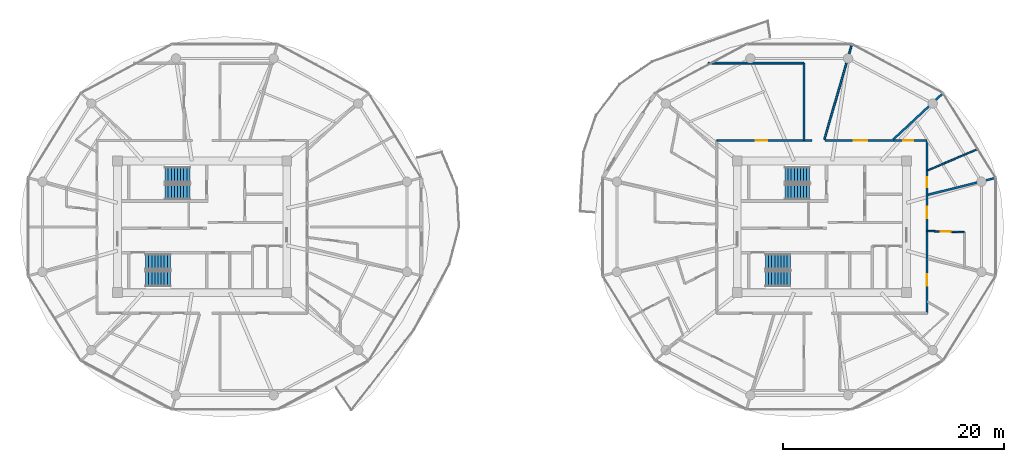
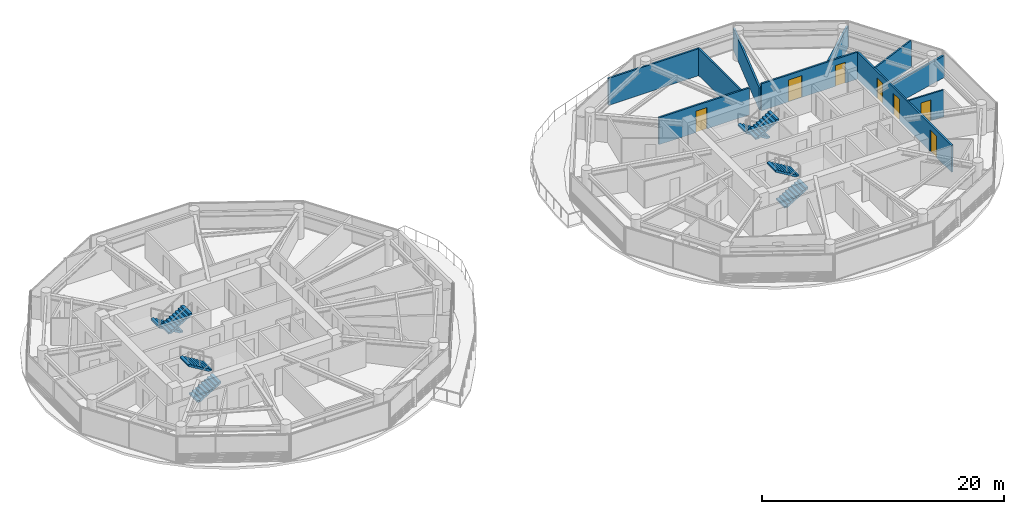
# One storey, part 18 of 22: 10 walls, 8 stair flights, 7 doors, 7 openings, 4 elements without a shape of their own.
"""IFC4 building model written with IfcOpenShell, lengths in metres."""

import ifcopenshell
import ifcopenshell.guid

model = None  # the IFC model being written
_history = None  # IfcOwnerHistory: only IFC2X3 demands one
_inside = {}  # id of a spatial element -> (the spatial element, [elements in it])
_under = {}  # id of a project, library or spatial element -> (it, [spatial elements below it])
_declared = {}  # id of a project -> (the project, [libraries it declares])
_typed = {}  # id of a type object -> (the type object, [elements of that type])
_made_of = {}  # id of a material, layer set ... -> (it, [elements and type objects made of it])


def new_model(schema):
    """Start an empty IFC model of exactly this schema.

    Asked for "IFC4X3", IfcOpenShell would pick the latest addendum, in which some entities
    have other attributes; the version numbers below select the first issue.
    IFC2X3 requires an IfcOwnerHistory on every rooted entity: one is made here for all.
    """
    global model, _history
    if schema == "IFC4X3":
        model = ifcopenshell.file(schema_version=(4, 3, 0, 0))
    else:
        model = ifcopenshell.file(schema=schema)
    _inside.clear()
    _under.clear()
    _declared.clear()
    _typed.clear()
    _made_of.clear()
    _history = None
    if model.schema == "IFC2X3":
        org = make("IfcOrganization", Name="unknown")
        user = make(
            "IfcPersonAndOrganization",
            ThePerson=make("IfcPerson", FamilyName="unknown"),
            TheOrganization=org,
        )
        app = make(
            "IfcApplication",
            ApplicationDeveloper=org,
            Version="unknown",
            ApplicationFullName="unknown",
            ApplicationIdentifier="unknown",
        )
        _history = make(
            "IfcOwnerHistory",
            OwningUser=user,
            OwningApplication=app,
            ChangeAction="ADDED",
            CreationDate=0,
        )
    return model


def make(cls, **values):
    """One entity of the class cls with the attributes given. An attribute that is None is left unset."""
    return model.create_entity(
        cls, **{name: value for name, value in values.items() if value is not None}
    )


def rooted(cls, **values):
    """An entity with a GlobalId (a new one), such as an element, a storey or a relation."""
    return make(cls, GlobalId=ifcopenshell.guid.new(), OwnerHistory=_history, **values)


def si_unit(unit_type, name, prefix=None):
    """IfcSIUnit, for example si_unit("LENGTHUNIT", "METRE", prefix="MILLI")."""
    return make("IfcSIUnit", UnitType=unit_type, Prefix=prefix, Name=name)


def assignment(units):
    """IfcUnitAssignment: the units of a project."""
    return None if units is None else make("IfcUnitAssignment", Units=units)


def point(xyz):
    """IfcCartesianPoint."""
    return None if xyz is None else make("IfcCartesianPoint", Coordinates=xyz)


def direction(xyz):
    """IfcDirection."""
    return None if xyz is None else make("IfcDirection", DirectionRatios=xyz)


def frame(location, z_axis=None, x_axis=None):
    """IfcAxis2Placement3D, a coordinate frame: its origin and axes. An axis left out is left unset."""
    return make(
        "IfcAxis2Placement3D",
        Location=point(location),
        Axis=direction(z_axis),
        RefDirection=direction(x_axis),
    )


def frame_2d(location, x_axis=None):
    """IfcAxis2Placement2D, a coordinate frame in the plane: its origin and x axis."""
    return make(
        "IfcAxis2Placement2D", Location=point(location), RefDirection=direction(x_axis)
    )


def origin():
    """The frame at (0, 0, 0) with its axes left unset."""
    return frame((0.0, 0.0, 0.0))


def place(relative_to, where):
    """IfcLocalPlacement: puts the frame where relative to a parent placement (None: the world)."""
    return make(
        "IfcLocalPlacement", PlacementRelTo=relative_to, RelativePlacement=where
    )


def context(
    kind, dimensions, precision=None, world=None, true_north=None, identifier=None
):
    """IfcGeometricRepresentationContext, for example the 3D "Model" context."""
    return make(
        "IfcGeometricRepresentationContext",
        ContextIdentifier=identifier,
        ContextType=kind,
        CoordinateSpaceDimension=dimensions,
        Precision=precision,
        WorldCoordinateSystem=world,
        TrueNorth=true_north,
    )


def subcontext(parent, identifier, kind, view, scale=None):
    """IfcGeometricRepresentationSubContext, for example "Body" below "Model"."""
    return make(
        "IfcGeometricRepresentationSubContext",
        ContextIdentifier=identifier,
        ContextType=kind,
        ParentContext=parent,
        TargetScale=scale,
        TargetView=view,
    )


def project(units=None, contexts=None):
    """IfcProject with its units and contexts."""
    return rooted(
        "IfcProject",
        Name="project",
        RepresentationContexts=contexts,
        UnitsInContext=assignment(units),
    )


def spatial(cls, under=None, at=None, **own):
    """A site, building, storey or space (cls), placed at a placement, below another one or the project."""
    s = rooted(cls, ObjectPlacement=at, **own)
    if under is not None:
        _under.setdefault(under.id(), (under, []))[1].append(s)
    return s


def polyline(points):
    """IfcPolyline through the points."""
    return make("IfcPolyline", Points=[point(p) for p in points])


def profile(cls, at=None, kind="AREA", **sizes):
    """A parametric profile (cls). Its sizes go by their IFC names, for example OverallWidth=200.0."""
    return make(cls, ProfileType=kind, Position=at, **sizes)


def rectangle(**sizes):
    """IfcRectangleProfileDef."""
    return profile("IfcRectangleProfileDef", **sizes)


def outline(outer, holes=None, kind="AREA"):
    """IfcArbitraryClosedProfileDef: a profile drawn as a closed curve; with holes, ...WithVoids."""
    if holes is None:
        return make("IfcArbitraryClosedProfileDef", ProfileType=kind, OuterCurve=outer)
    return make(
        "IfcArbitraryProfileDefWithVoids",
        ProfileType=kind,
        OuterCurve=outer,
        InnerCurves=holes,
    )


def extrude(swept, where, along, depth):
    """IfcExtrudedAreaSolid: the profile swept, set in the frame where, extruded along a direction by depth."""
    return make(
        "IfcExtrudedAreaSolid",
        SweptArea=swept,
        Position=where,
        ExtrudedDirection=direction(along),
        Depth=depth,
    )


def shape(context_of_items, identifier, shape_type, items):
    """IfcShapeRepresentation: the items that make up one representation, for example the "Body"."""
    return make(
        "IfcShapeRepresentation",
        ContextOfItems=context_of_items,
        RepresentationIdentifier=identifier,
        RepresentationType=shape_type,
        Items=items,
    )


def source(mapping_origin, context_of_items, identifier, shape_type, items):
    """IfcRepresentationMap: a shape defined once, which mapped items show again and again."""
    return make(
        "IfcRepresentationMap",
        MappingOrigin=mapping_origin,
        MappedRepresentation=shape(context_of_items, identifier, shape_type, items),
    )


def transform(
    local_origin,
    x_axis=None,
    y_axis=None,
    z_axis=None,
    scale=None,
    scale2=None,
    scale3=None,
    uniform=True,
):
    """IfcCartesianTransformationOperator3D, or its non-uniform kind. x_axis, y_axis, z_axis: its Axis1, 2, 3."""
    if uniform:
        return make(
            "IfcCartesianTransformationOperator3D",
            Axis1=direction(x_axis),
            Axis2=direction(y_axis),
            LocalOrigin=point(local_origin),
            Scale=scale,
            Axis3=direction(z_axis),
        )
    return make(
        "IfcCartesianTransformationOperator3DnonUniform",
        Axis1=direction(x_axis),
        Axis2=direction(y_axis),
        LocalOrigin=point(local_origin),
        Scale=scale,
        Axis3=direction(z_axis),
        Scale2=scale2,
        Scale3=scale3,
    )


def mapped(mapping_source, mapping_target):
    """IfcMappedItem: shows the shape of a source again, moved by a transform."""
    return make(
        "IfcMappedItem", MappingSource=mapping_source, MappingTarget=mapping_target
    )


def material(Name=None, Category=None):
    """IfcMaterial."""
    return make("IfcMaterial", Name=Name, Category=Category)


def layer(
    of_material, thickness, ventilated=None, Name=None, Category=None, Priority=None
):
    """IfcMaterialLayer: one layer of a wall or slab, of a material (None: an air gap)."""
    return make(
        "IfcMaterialLayer",
        Material=of_material,
        LayerThickness=thickness,
        IsVentilated=ventilated,
        Name=Name,
        Category=Category,
        Priority=Priority,
    )


def layer_set(layers, Name=None):
    """IfcMaterialLayerSet."""
    return make("IfcMaterialLayerSet", MaterialLayers=layers, LayerSetName=Name)


def made_of(thing, what):
    """Note that an element or type object is made of a material, layer set ...; save() writes the relation."""
    if what is not None:
        _made_of.setdefault(what.id(), (what, []))[1].append(thing)
    return thing


def type_object(cls, material=None, **own):
    """A type object (cls), such as IfcWallType, which elements share."""
    return made_of(rooted(cls, **own), material)


def type_shapes(of_type, sources):
    """Give a type object the sources (RepresentationMaps) that its elements show as mapped items."""
    of_type.RepresentationMaps = sources


def element(
    cls,
    number,
    at=None,
    inside=None,
    cuts=None,
    type_object=None,
    material=None,
    context=None,
    identifier="Body",
    shape_type=None,
    held_by="IfcProductDefinitionShape",
    body=None,
    shapes=None,
    **own,
):
    """One element of the class cls, such as IfcWall. Its Tag is "e" and its number.

    at: its placement. inside: the storey or other place that contains it. cuts: it is an
    opening in that element (IfcRelVoidsElement). A single representation is given by context,
    identifier, shape_type and body (its items); several are given by shapes. held_by: the class
    of the entity that holds the representations. save() writes the other relations.
    """
    e = rooted(cls, Tag="e%d" % number, ObjectPlacement=at, **own)
    if body is not None:
        shapes = [shape(context, identifier, shape_type, body)]
    if shapes is not None:
        e.Representation = make(held_by, Representations=shapes)
    if inside is not None:
        _inside.setdefault(inside.id(), (inside, []))[1].append(e)
    if cuts is not None:
        rooted(
            "IfcRelVoidsElement", RelatingBuildingElement=cuts, RelatedOpeningElement=e
        )
    if type_object is not None:
        _typed.setdefault(type_object.id(), (type_object, []))[1].append(e)
    return made_of(e, material)


def fill(opening, filler):
    """IfcRelFillsElement: the door or window that sits in an opening."""
    return rooted(
        "IfcRelFillsElement",
        RelatingOpeningElement=opening,
        RelatedBuildingElement=filler,
    )


def aggregate(whole, parts):
    """IfcRelAggregates: a whole, such as a stair, and the parts it consists of."""
    return rooted("IfcRelAggregates", RelatingObject=whole, RelatedObjects=parts)


def save(model, path):
    """Write the relations noted so far, then the file.

    IfcRelAggregates (storeys below a building ...), IfcRelContainedInSpatialStructure (elements
    in a storey), IfcRelDefinesByType, IfcRelAssociatesMaterial and IfcRelDeclares: one each for
    every whole, place, type object, material and project.
    """
    for whole, parts in _under.values():
        aggregate(whole, parts)
    for where, things in _inside.values():
        rooted(
            "IfcRelContainedInSpatialStructure",
            RelatedElements=things,
            RelatingStructure=where,
        )
    for kind, things in _typed.values():
        rooted("IfcRelDefinesByType", RelatedObjects=things, RelatingType=kind)
    for what, things in _made_of.values():
        rooted("IfcRelAssociatesMaterial", RelatedObjects=things, RelatingMaterial=what)
    for by, libraries in _declared.values():
        rooted("IfcRelDeclares", RelatingContext=by, RelatedDefinitions=libraries)
    model.write(path)


model = new_model("IFC4")

# Units and contexts
model_context = context("Model", 3, precision=1e-05, world=origin(), true_north=direction((0.0, 1.0)))
body_context = subcontext(model_context, "Body", "Model", "MODEL_VIEW")
ifc_project = project(units=[si_unit("LENGTHUNIT", "METRE"), si_unit("AREAUNIT", "SQUARE_METRE"), si_unit("VOLUMEUNIT", "CUBIC_METRE"), si_unit("PLANEANGLEUNIT", "RADIAN"), si_unit("MASSUNIT", "GRAM", prefix="KILO")], contexts=[model_context])

# Site, building, storey
site_placement = place(None, origin())
site = spatial("IfcSite", under=ifc_project, at=site_placement, CompositionType="ELEMENT")
building_placement = place(site_placement, origin())
building = spatial("IfcBuilding", under=site, at=building_placement, Name="Norrkilde Senior Care Towers", CompositionType="ELEMENT")
storey_placement = place(building_placement, frame((0.0, 0.0, 126.75)))
storey = spatial("IfcBuildingStorey", under=building, at=storey_placement, Name="L39", CompositionType="ELEMENT", Elevation=126.75)

# Wall, openings, doors
ifc_material_1 = material(Name="Gypsum Acoustic Board")
ifc_layer_1 = layer(ifc_material_1, 0.1650390625)
ifc_layer_set_1 = layer_set([ifc_layer_1], Name="Gypsum Acoustic Board")
wall_type_1 = type_object("IfcWallType", Name="Corridor Rated Partition 165", PredefinedType="PARTITIONING", material=ifc_layer_set_1)
shared_shape_1 = source(origin(), body_context, "Body", "SweptSolid", [
    extrude(rectangle(XDim=15.60009765625, YDim=0.1650390625, at=frame_2d((7.800048828125, 0.0))), origin(), (0.0, 0.0, 1.0), 2.715087890625),
])
wall_1_placement = place(storey_placement, frame((37.5, 7.800048828125, 0.0), z_axis=(0.0, 0.0, 1.0), x_axis=(0.0, -1.0, 0.0)))
wall_1 = element("IfcWall", 1, at=wall_1_placement, inside=storey, type_object=wall_type_1, Name="WL-INT-L39-E-CRW-E-0", PredefinedType="PARTITIONING", context=body_context, shape_type="MappedRepresentation", body=[
    mapped(shared_shape_1, transform((0.0, 0.0, 0.0), x_axis=(1.0, 0.0, 0.0), y_axis=(0.0, 1.0, 0.0), z_axis=(0.0, 0.0, 1.0), scale=1.0)),
])
opening_1_placement = place(wall_1_placement, frame((12.09423828125, 0.0, 0.0)))
opening_1 = element("IfcOpeningElement", 2, at=opening_1_placement, cuts=wall_1, Name="Opening D-06", PredefinedType="OPENING", context=body_context, shape_type="SweptSolid", body=[
    extrude(rectangle(XDim=1.050048828125, YDim=2.14990234375, at=frame_2d((0.52490234375, 1.074951171875))), frame((0.0, 0.092529296875, 0.0), z_axis=(0.0, -1.0, 0.0), x_axis=(1.0, 0.0, 0.0)), (0.0, 0.0, 1.0), 0.18505859375),
])
opening_2_placement = place(wall_1_placement, frame((5.971435546875, 0.0, 0.0)))
opening_2 = element("IfcOpeningElement", 3, at=opening_2_placement, cuts=wall_1, Name="Opening D-06", PredefinedType="OPENING", context=body_context, shape_type="SweptSolid", body=[
    extrude(rectangle(XDim=1.050048828125, YDim=2.14990234375, at=frame_2d((0.52490234375, 1.074951171875))), frame((0.0, 0.092529296875, 0.0), z_axis=(0.0, -1.0, 0.0), x_axis=(1.0, 0.0, 0.0)), (0.0, 0.0, 1.0), 0.18505859375),
])
opening_3_placement = place(wall_1_placement, frame((3.32373046875, 0.0, 0.0)))
opening_3 = element("IfcOpeningElement", 4, at=opening_3_placement, cuts=wall_1, Name="Opening D-08", PredefinedType="OPENING", context=body_context, shape_type="SweptSolid", body=[
    extrude(rectangle(XDim=0.919921875, YDim=2.10009765625, at=frame_2d((0.4599609375, 1.050048828125))), frame((0.0, 0.092529296875, 0.0), z_axis=(0.0, -1.0, 0.0), x_axis=(1.0, 0.0, 0.0)), (0.0, 0.0, 1.0), 0.18505859375),
])
ifc_material_2 = material(Name="Nordic Ash Timber", Category="wood")
door_type_1 = type_object("IfcDoorType", Name="Accessible Wet Room Door 920x2100", OperationType="NOTDEFINED", PredefinedType="DOOR", material=ifc_material_2)
shared_shape_2 = source(origin(), body_context, "Body", "SweptSolid", [
    extrude(rectangle(XDim=0.919921875, YDim=2.10009765625, at=frame_2d((0.4599609375, 1.050048828125))), frame((0.0, 0.02490234375, 0.0), z_axis=(0.0, -1.0, 0.0), x_axis=(1.0, 0.0, 0.0)), (0.0, 0.0, 1.0), 0.050048828125),
])
type_shapes(door_type_1, [shared_shape_2])
door_1_placement = place(opening_3_placement, frame((0.919921875, 0.0, 0.0), z_axis=(0.0, 0.0, 1.0), x_axis=(-1.0, 0.0, 0.0)))
door_1 = element("IfcDoor", 5, at=door_1_placement, inside=storey, type_object=door_type_1, Name="L39 Accessible Restroom Door", OperationType="SINGLE_SWING_LEFT", OverallHeight=2.10009765625, OverallWidth=0.919921875, PredefinedType="DOOR", context=body_context, shape_type="MappedRepresentation", body=[
    mapped(shared_shape_2, transform((0.0, 0.0, 0.0), x_axis=(1.0, 0.0, 0.0), y_axis=(0.0, 1.0, 0.0), z_axis=(0.0, 0.0, 1.0), scale=1.0)),
])
fill(opening_3, door_1)
door_type_2 = type_object("IfcDoorType", Name="Apartment Entrance Fire Door 1050x2150", OperationType="NOTDEFINED", PredefinedType="DOOR", material=ifc_material_2)
shared_shape_3 = source(origin(), body_context, "Body", "SweptSolid", [
    extrude(rectangle(XDim=1.050048828125, YDim=2.14990234375, at=frame_2d((0.52490234375, 1.074951171875))), frame((0.0, 0.02490234375, 0.0), z_axis=(0.0, -1.0, 0.0), x_axis=(1.0, 0.0, 0.0)), (0.0, 0.0, 1.0), 0.050048828125),
])
type_shapes(door_type_2, [shared_shape_3])
door_2_placement = place(opening_1_placement, frame((1.050048828125, 0.0, 0.0), z_axis=(0.0, 0.0, 1.0), x_axis=(-1.0, 0.0, 0.0)))
door_2 = element("IfcDoor", 6, at=door_2_placement, inside=storey, type_object=door_type_2, Name="L39 Studio 39D Entrance Door", OperationType="SINGLE_SWING_RIGHT", OverallHeight=2.14990234375, OverallWidth=1.050048828125, PredefinedType="DOOR", context=body_context, shape_type="MappedRepresentation", body=[
    mapped(shared_shape_3, transform((0.0, 0.0, 0.0), x_axis=(1.0, 0.0, 0.0), y_axis=(0.0, 1.0, 0.0), z_axis=(0.0, 0.0, 1.0), scale=1.0)),
])
fill(opening_1, door_2)
door_3_placement = place(opening_2_placement, frame((1.050048828125, 0.0, 0.0), z_axis=(0.0, 0.0, 1.0), x_axis=(-1.0, 0.0, 0.0)))
door_3 = element("IfcDoor", 7, at=door_3_placement, inside=storey, type_object=door_type_2, Name="L39 Studio 39E Entrance Door", OperationType="SINGLE_SWING_LEFT", OverallHeight=2.14990234375, OverallWidth=1.050048828125, PredefinedType="DOOR", context=body_context, shape_type="MappedRepresentation", body=[
    mapped(shared_shape_3, transform((0.0, 0.0, 0.0), x_axis=(1.0, 0.0, 0.0), y_axis=(0.0, 1.0, 0.0), z_axis=(0.0, 0.0, 1.0), scale=1.0)),
])
fill(opening_2, door_3)

# Wall, opening, door
shared_shape_4 = source(origin(), body_context, "Body", "SweptSolid", [
    extrude(rectangle(XDim=8.60009765625, YDim=0.1650390625, at=frame_2d((4.300048828125, 0.0))), origin(), (0.0, 0.0, 1.0), 2.715087890625),
])
wall_2_placement = place(storey_placement, frame((18.5, 7.800048828125, 0.0), z_axis=(0.0, 0.0, 1.0), x_axis=(1.0, 0.0, 0.0)))
wall_2 = element("IfcWall", 8, at=wall_2_placement, inside=storey, type_object=wall_type_1, Name="WL-INT-L39-E-CRW-N-0", PredefinedType="PARTITIONING", context=body_context, shape_type="MappedRepresentation", body=[
    mapped(shared_shape_4, transform((0.0, 0.0, 0.0), x_axis=(1.0, 0.0, 0.0), y_axis=(0.0, 1.0, 0.0), z_axis=(0.0, 0.0, 1.0), scale=1.0)),
])
opening_4_placement = place(wall_2_placement, frame((3.509033203125, 0.0, 0.0)))
opening_4 = element("IfcOpeningElement", 9, at=opening_4_placement, cuts=wall_2, Name="Opening D-06", PredefinedType="OPENING", context=body_context, shape_type="SweptSolid", body=[
    extrude(rectangle(XDim=1.050048828125, YDim=2.14990234375, at=frame_2d((0.52490234375, 1.074951171875))), frame((0.0, 0.092529296875, 0.0), z_axis=(0.0, -1.0, 0.0), x_axis=(1.0, 0.0, 0.0)), (0.0, 0.0, 1.0), 0.18505859375),
])
door_4_placement = place(opening_4_placement, frame((1.050048828125, 0.0, 0.0), z_axis=(0.0, 0.0, 1.0), x_axis=(-1.0, 0.0, 0.0)))
door_4 = element("IfcDoor", 10, at=door_4_placement, inside=storey, type_object=door_type_2, Name="L39 Reading Lounge NWL Door", OperationType="SINGLE_SWING_RIGHT", OverallHeight=2.14990234375, OverallWidth=1.050048828125, PredefinedType="DOOR", context=body_context, shape_type="MappedRepresentation", body=[
    mapped(shared_shape_3, transform((0.0, 0.0, 0.0), x_axis=(1.0, 0.0, 0.0), y_axis=(0.0, 1.0, 0.0), z_axis=(0.0, 0.0, 1.0), scale=1.0)),
])
fill(opening_4, door_4)

# Wall, openings, doors
shared_shape_5 = source(origin(), body_context, "Body", "SweptSolid", [
    extrude(rectangle(XDim=9.234130859375, YDim=0.1650390625, at=frame_2d((4.6171875, 0.0))), origin(), (0.0, 0.0, 1.0), 2.715087890625),
])
wall_3_placement = place(storey_placement, frame((28.265869140625, 7.800048828125, 0.0), z_axis=(0.0, 0.0, 1.0), x_axis=(1.0, 0.0, 0.0)))
wall_3 = element("IfcWall", 11, at=wall_3_placement, inside=storey, type_object=wall_type_1, Name="WL-INT-L39-E-CRW-N-1", PredefinedType="PARTITIONING", context=body_context, shape_type="MappedRepresentation", body=[
    mapped(shared_shape_5, transform((0.0, 0.0, 0.0), x_axis=(1.0, 0.0, 0.0), y_axis=(0.0, 1.0, 0.0), z_axis=(0.0, 0.0, 1.0), scale=1.0)),
])
opening_5_placement = place(wall_3_placement, frame((7.073974609375, 0.0, 0.0)))
opening_5 = element("IfcOpeningElement", 12, at=opening_5_placement, cuts=wall_3, Name="Opening D-08", PredefinedType="OPENING", context=body_context, shape_type="SweptSolid", body=[
    extrude(rectangle(XDim=0.919921875, YDim=2.10009765625, at=frame_2d((0.4599609375, 1.050048828125))), frame((0.0, 0.092529296875, 0.0), z_axis=(0.0, -1.0, 0.0), x_axis=(1.0, 0.0, 0.0)), (0.0, 0.0, 1.0), 0.18505859375),
])
opening_6_placement = place(wall_3_placement, frame((2.588134765625, 0.0, 0.0)))
opening_6 = element("IfcOpeningElement", 13, at=opening_6_placement, cuts=wall_3, Name="Opening D-05", PredefinedType="OPENING", context=body_context, shape_type="SweptSolid", body=[
    extrude(rectangle(XDim=1.25, YDim=2.199951171875, at=frame_2d((0.625, 1.10009765625))), frame((0.0, 0.092529296875, 0.0), z_axis=(0.0, -1.0, 0.0), x_axis=(1.0, 0.0, 0.0)), (0.0, 0.0, 1.0), 0.18505859375),
])
door_type_3 = type_object("IfcDoorType", Name="Care Bedroom Bariatric Door 1250x2200", OperationType="NOTDEFINED", PredefinedType="DOOR", material=ifc_material_2)
shared_shape_6 = source(origin(), body_context, "Body", "SweptSolid", [
    extrude(rectangle(XDim=1.25, YDim=2.199951171875, at=frame_2d((0.625, 1.10009765625))), frame((0.0, 0.02490234375, 0.0), z_axis=(0.0, -1.0, 0.0), x_axis=(1.0, 0.0, 0.0)), (0.0, 0.0, 1.0), 0.050048828125),
])
type_shapes(door_type_3, [shared_shape_6])
door_5_placement = place(opening_6_placement, frame((1.25, 0.0, 0.0), z_axis=(0.0, 0.0, 1.0), x_axis=(-1.0, 0.0, 0.0)))
door_5 = element("IfcDoor", 14, at=door_5_placement, inside=storey, type_object=door_type_3, Name="L39 Senior Wellness Library Lounge Door", OperationType="SINGLE_SWING_RIGHT", OverallHeight=2.199951171875, OverallWidth=1.25, PredefinedType="DOOR", context=body_context, shape_type="MappedRepresentation", body=[
    mapped(shared_shape_6, transform((0.0, 0.0, 0.0), x_axis=(1.0, 0.0, 0.0), y_axis=(0.0, 1.0, 0.0), z_axis=(0.0, 0.0, 1.0), scale=1.0)),
])
fill(opening_6, door_5)
door_6_placement = place(opening_5_placement, frame((0.919921875, 0.0, 0.0), z_axis=(0.0, 0.0, 1.0), x_axis=(-1.0, 0.0, 0.0)))
door_6 = element("IfcDoor", 15, at=door_6_placement, inside=storey, type_object=door_type_1, Name="L39 Public Restroom Door", OperationType="SINGLE_SWING_RIGHT", OverallHeight=2.10009765625, OverallWidth=0.919921875, PredefinedType="DOOR", context=body_context, shape_type="MappedRepresentation", body=[
    mapped(shared_shape_2, transform((0.0, 0.0, 0.0), x_axis=(1.0, 0.0, 0.0), y_axis=(0.0, 1.0, 0.0), z_axis=(0.0, 0.0, 1.0), scale=1.0)),
])
fill(opening_5, door_6)

# Walls
shared_shape_7 = source(origin(), body_context, "Body", "SweptSolid", [
    extrude(rectangle(XDim=8.9892578125, YDim=0.1650390625, at=frame_2d((4.49462890625, 0.0))), origin(), (0.0, 0.0, 1.0), 2.215087890625),
])
wall_4_placement = place(storey_placement, frame((28.221923828125, 7.8798828125, 0.0), z_axis=(0.0, 0.0, 1.0), x_axis=(0.27702323008, 0.960863221274, 0.0)))
element("IfcWall", 16, at=wall_4_placement, inside=storey, type_object=wall_type_1, Name="WL-INT-L39-E-DEM-02-0", PredefinedType="PARTITIONING", context=body_context, shape_type="MappedRepresentation", body=[
    mapped(shared_shape_7, transform((0.0, 0.0, 0.0), x_axis=(1.0, 0.0, 0.0), y_axis=(0.0, 1.0, 0.0), z_axis=(0.0, 0.0, 1.0), scale=1.0)),
])
shared_shape_8 = source(origin(), body_context, "Body", "SweptSolid", [
    extrude(rectangle(XDim=6.989990234375, YDim=0.1650390625, at=frame_2d((3.4951171875, 0.0))), origin(), (0.0, 0.0, 1.0), 2.715087890625),
])
wall_5_placement = place(storey_placement, frame((26.3798828125, 7.800048828125, 0.0), z_axis=(0.0, 0.0, 1.0), x_axis=(0.0, 1.0, 0.0)))
element("IfcWall", 17, at=wall_5_placement, inside=storey, type_object=wall_type_1, Name="WL-INT-L39-E-PKW-NWL", PredefinedType="PARTITIONING", context=body_context, shape_type="MappedRepresentation", body=[
    mapped(shared_shape_8, transform((0.0, 0.0, 0.0), x_axis=(1.0, 0.0, 0.0), y_axis=(0.0, 1.0, 0.0), z_axis=(0.0, 0.0, 1.0), scale=1.0)),
])
shared_shape_9 = source(origin(), body_context, "Body", "SweptSolid", [
    extrude(rectangle(XDim=8.66943359375, YDim=0.1650390625, at=frame_2d((4.334716796875, 0.0))), origin(), (0.0, 0.0, 1.0), 2.715087890625),
])
type_shapes(wall_type_1, [shared_shape_1, shared_shape_4, shared_shape_5, shared_shape_7, shared_shape_8, shared_shape_9])
wall_6_placement = place(storey_placement, frame((17.71044921875, 14.7900390625, 0.0), z_axis=(0.0, 0.0, 1.0), x_axis=(1.0, 0.0, 0.0)))
element("IfcWall", 18, at=wall_6_placement, inside=storey, type_object=wall_type_1, Name="WL-INT-L39-E-PKH-NWL-0", PredefinedType="PARTITIONING", context=body_context, shape_type="MappedRepresentation", body=[
    mapped(shared_shape_9, transform((0.0, 0.0, 0.0), x_axis=(1.0, 0.0, 0.0), y_axis=(0.0, 1.0, 0.0), z_axis=(0.0, 0.0, 1.0), scale=1.0)),
])
ifc_layer_2 = layer(ifc_material_1, 0.18994140625)
ifc_layer_set_2 = layer_set([ifc_layer_2], Name="Gypsum Acoustic Board")
wall_type_2 = type_object("IfcWallType", Name="Unit Demising Acoustic Wall 190", PredefinedType="PARTITIONING", material=ifc_layer_set_2)
shared_shape_10 = source(origin(), body_context, "Body", "SweptSolid", [
    extrude(rectangle(XDim=6.33056640625, YDim=0.18994140625, at=frame_2d((3.165283203125, 0.0))), origin(), (0.0, 0.0, 1.0), 2.215087890625),
])
wall_7_placement = place(storey_placement, frame((37.580078125, 2.89599609375, 0.0), z_axis=(0.0, 0.0, 1.0), x_axis=(0.97036440661, 0.241646267062, 0.0)))
element("IfcWall", 19, at=wall_7_placement, inside=storey, type_object=wall_type_2, Name="WL-INT-L39-E-DEM-00-0", PredefinedType="PARTITIONING", context=body_context, shape_type="MappedRepresentation", body=[
    mapped(shared_shape_10, transform((0.0, 0.0, 0.0), x_axis=(1.0, 0.0, 0.0), y_axis=(0.0, 1.0, 0.0), z_axis=(0.0, 0.0, 1.0), scale=1.0)),
])
shared_shape_11 = source(origin(), body_context, "Body", "SweptSolid", [
    extrude(rectangle(XDim=6.186767578125, YDim=0.18994140625, at=frame_2d((3.09326171875, 0.0))), origin(), (0.0, 0.0, 1.0), 2.215087890625),
])
type_shapes(wall_type_2, [shared_shape_10, shared_shape_11])
wall_8_placement = place(storey_placement, frame((34.428955078125, 7.8798828125, 0.0), z_axis=(0.0, 0.0, 1.0), x_axis=(0.732501077882, 0.680765870841, 0.0)))
element("IfcWall", 20, at=wall_8_placement, inside=storey, type_object=wall_type_2, Name="WL-INT-L39-E-DEM-01-0", PredefinedType="PARTITIONING", context=body_context, shape_type="MappedRepresentation", body=[
    mapped(shared_shape_11, transform((0.0, 0.0, 0.0), x_axis=(1.0, 0.0, 0.0), y_axis=(0.0, 1.0, 0.0), z_axis=(0.0, 0.0, 1.0), scale=1.0)),
])

# Wall, opening, door
ifc_layer_3 = layer(ifc_material_1, 0.139892578125)
ifc_layer_set_3 = layer_set([ifc_layer_3], Name="Gypsum Acoustic Board")
wall_type_3 = type_object("IfcWallType", Name="En-suite Wet Room Wall 140", PredefinedType="PARTITIONING", material=ifc_layer_set_3)
shared_shape_12 = source(origin(), body_context, "Body", "SweptSolid", [
    extrude(rectangle(XDim=3.341552734375, YDim=0.139892578125, at=frame_2d((1.6708984375, 0.0))), origin(), (0.0, 0.0, 1.0), 2.715087890625),
])
wall_9_placement = place(storey_placement, frame((37.530029296875, -0.3779296875, 0.0), z_axis=(0.0, 0.0, 1.0), x_axis=(0.999468967034, -0.032585026264, 0.0)))
wall_9 = element("IfcWall", 21, at=wall_9_placement, inside=storey, type_object=wall_type_3, Name="WL-INT-L39-E-ES-11", PredefinedType="PARTITIONING", context=body_context, shape_type="MappedRepresentation", body=[
    mapped(shared_shape_12, transform((0.0, 0.0, 0.0), x_axis=(1.0, 0.0, 0.0), y_axis=(0.0, 1.0, 0.0), z_axis=(0.0, 0.0, 1.0), scale=1.0)),
])
opening_7_placement = place(wall_9_placement, frame((1.2109375, 0.0, 0.0)))
opening_7 = element("IfcOpeningElement", 22, at=opening_7_placement, cuts=wall_9, Name="Opening D-08", PredefinedType="OPENING", context=body_context, shape_type="SweptSolid", body=[
    extrude(rectangle(XDim=0.919921875, YDim=2.10009765625, at=frame_2d((0.4599609375, 1.050048828125))), frame((0.0, 0.079833984375, 0.0), z_axis=(0.0, -1.0, 0.0), x_axis=(1.0, 0.0, 0.0)), (0.0, 0.0, 1.0), 0.159912109375),
])
door_7_placement = place(opening_7_placement, origin())
door_7 = element("IfcDoor", 23, at=door_7_placement, inside=storey, type_object=door_type_1, Name="L39 Studio 39E Bathroom Door", OperationType="SINGLE_SWING_RIGHT", OverallHeight=2.10009765625, OverallWidth=0.919921875, PredefinedType="DOOR", context=body_context, shape_type="MappedRepresentation", body=[
    mapped(shared_shape_2, transform((0.0, 0.0, 0.0), x_axis=(1.0, 0.0, 0.0), y_axis=(0.0, 1.0, 0.0), z_axis=(0.0, 0.0, 1.0), scale=1.0)),
])
fill(opening_7, door_7)

# Wall
shared_shape_13 = source(origin(), body_context, "Body", "SweptSolid", [
    extrude(rectangle(XDim=4.96826171875, YDim=0.139892578125, at=frame_2d((2.484130859375, 0.0))), origin(), (0.0, 0.0, 1.0), 2.715087890625),
])
type_shapes(wall_type_3, [shared_shape_12, shared_shape_13])
wall_10_placement = place(storey_placement, frame((37.530029296875, 5.092041015625, 0.0), z_axis=(0.0, 0.0, 1.0), x_axis=(0.920595165864, 0.39051829738, 0.0)))
element("IfcWall", 24, at=wall_10_placement, inside=storey, type_object=wall_type_3, Name="WL-INT-L39-E-MID-00", PredefinedType="PARTITIONING", context=body_context, shape_type="MappedRepresentation", body=[
    mapped(shared_shape_13, transform((0.0, 0.0, 0.0), x_axis=(1.0, 0.0, 0.0), y_axis=(0.0, 1.0, 0.0), z_axis=(0.0, 0.0, 1.0), scale=1.0)),
])

# Stair, stair flights
ifc_material_3 = material(Name="Concrete C45/55", Category="concrete")
stair_type = type_object("IfcStairType", Name="Core Protected Dogleg Stair Typical 3050", PredefinedType="HALF_TURN_STAIR", material=ifc_material_3)
stair_1_placement = place(storey_placement, origin())
stair_1 = element("IfcStair", 25, at=stair_1_placement, inside=storey, type_object=stair_type, Name="L39 Protected Core Stair W1", PredefinedType="HALF_TURN_STAIR")
stair_flight_type = type_object("IfcStairFlightType", Name="Core Protected Dogleg Stair Typical 3050 Flight", PredefinedType="STRAIGHT", material=ifc_material_3)
stair_flight_1_placement = place(storey_placement, frame((-29.10009765625, 4.699951171875, 0.0), z_axis=(0.0, 0.0, 1.0), x_axis=(-1.0, 0.0, 0.0)))
stair_flight_1 = element("IfcStairFlight", 26, at=stair_flight_1_placement, type_object=stair_flight_type, Name="ST-W1 flight 1", NumberOfRisers=9, NumberOfTreads=8, PredefinedType="STRAIGHT", RiserHeight=0.169444444, TreadLength=0.28, context=body_context, shape_type="SweptSolid", body=[
    extrude(outline(polyline([(0.0, 0.0), (0.0, 0.16943359375), (0.280029296875, 0.16943359375), (0.280029296875, 0.3388671875), (0.56005859375, 0.3388671875), (0.56005859375, 0.50830078125), (0.840087890625, 0.50830078125), (0.840087890625, 0.677734375), (1.1201171875, 0.677734375), (1.1201171875, 0.84716796875), (1.39990234375, 0.84716796875), (1.39990234375, 1.0166015625), (1.679931640625, 1.0166015625), (1.679931640625, 1.18603515625), (1.9599609375, 1.18603515625), (1.9599609375, 1.35546875), (2.239990234375, 1.35546875), (2.239990234375, 1.52490234375), (2.239990234375, 1.180419921875), (0.28955078125, 0.0), (0.0, 0.0)])), frame((0.0, 0.699951171875, 0.0), z_axis=(0.0, -1.0, 0.0), x_axis=(1.0, 0.0, 0.0)), (0.0, 0.0, 1.0), 1.39990234375),
])
stair_flight_2_placement = place(storey_placement, frame((-31.340087890625, 3.14990234375, 1.52490234375), z_axis=(0.0, 0.0, 1.0), x_axis=(1.0, 0.0, 0.0)))
stair_flight_2 = element("IfcStairFlight", 27, at=stair_flight_2_placement, type_object=stair_flight_type, Name="ST-W1 flight 2", NumberOfRisers=9, NumberOfTreads=8, PredefinedType="STRAIGHT", RiserHeight=0.169444444, TreadLength=0.28, context=body_context, shape_type="SweptSolid", body=[
    extrude(outline(polyline([(0.0, 0.0), (0.0, 0.16943359375), (0.280029296875, 0.16943359375), (0.280029296875, 0.3388671875), (0.56005859375, 0.3388671875), (0.56005859375, 0.50830078125), (0.840087890625, 0.50830078125), (0.840087890625, 0.677734375), (1.1201171875, 0.677734375), (1.1201171875, 0.84716796875), (1.39990234375, 0.84716796875), (1.39990234375, 1.0166015625), (1.679931640625, 1.0166015625), (1.679931640625, 1.18603515625), (1.9599609375, 1.18603515625), (1.9599609375, 1.35546875), (2.239990234375, 1.35546875), (2.239990234375, 1.52490234375), (2.239990234375, 1.180419921875), (0.28955078125, 0.0), (0.0, 0.0)])), frame((0.0, 0.699951171875, 0.0), z_axis=(0.0, -1.0, 0.0), x_axis=(1.0, 0.0, 0.0)), (0.0, 0.0, 1.0), 1.39990234375),
])
aggregate(stair_1, [stair_flight_1, stair_flight_2])

stair_2_placement = place(storey_placement, origin())
stair_2 = element("IfcStair", 28, at=stair_2_placement, inside=storey, type_object=stair_type, Name="L39 Protected Core Stair W2", PredefinedType="HALF_TURN_STAIR")
stair_flight_3_placement = place(storey_placement, frame((-33.10009765625, -4.699951171875, 0.0), z_axis=(0.0, 0.0, 1.0), x_axis=(1.0, 0.0, 0.0)))
stair_flight_3 = element("IfcStairFlight", 29, at=stair_flight_3_placement, type_object=stair_flight_type, Name="ST-W2 flight 1", NumberOfRisers=9, NumberOfTreads=8, PredefinedType="STRAIGHT", RiserHeight=0.169444444, TreadLength=0.28, context=body_context, shape_type="SweptSolid", body=[
    extrude(outline(polyline([(0.0, 0.0), (0.0, 0.16943359375), (0.280029296875, 0.16943359375), (0.280029296875, 0.3388671875), (0.56005859375, 0.3388671875), (0.56005859375, 0.50830078125), (0.840087890625, 0.50830078125), (0.840087890625, 0.677734375), (1.1201171875, 0.677734375), (1.1201171875, 0.84716796875), (1.39990234375, 0.84716796875), (1.39990234375, 1.0166015625), (1.679931640625, 1.0166015625), (1.679931640625, 1.18603515625), (1.9599609375, 1.18603515625), (1.9599609375, 1.35546875), (2.239990234375, 1.35546875), (2.239990234375, 1.52490234375), (2.239990234375, 1.180419921875), (0.28955078125, 0.0), (0.0, 0.0)])), frame((0.0, 0.699951171875, 0.0), z_axis=(0.0, -1.0, 0.0), x_axis=(1.0, 0.0, 0.0)), (0.0, 0.0, 1.0), 1.39990234375),
])
stair_flight_4_placement = place(storey_placement, frame((-30.860107421875, -3.14990234375, 1.52490234375), z_axis=(0.0, 0.0, 1.0), x_axis=(-1.0, 0.0, 0.0)))
stair_flight_4 = element("IfcStairFlight", 30, at=stair_flight_4_placement, type_object=stair_flight_type, Name="ST-W2 flight 2", NumberOfRisers=9, NumberOfTreads=8, PredefinedType="STRAIGHT", RiserHeight=0.169444444, TreadLength=0.28, context=body_context, shape_type="SweptSolid", body=[
    extrude(outline(polyline([(0.0, 0.0), (0.0, 0.16943359375), (0.280029296875, 0.16943359375), (0.280029296875, 0.3388671875), (0.56005859375, 0.3388671875), (0.56005859375, 0.50830078125), (0.840087890625, 0.50830078125), (0.840087890625, 0.677734375), (1.1201171875, 0.677734375), (1.1201171875, 0.84716796875), (1.39990234375, 0.84716796875), (1.39990234375, 1.0166015625), (1.679931640625, 1.0166015625), (1.679931640625, 1.18603515625), (1.9599609375, 1.18603515625), (1.9599609375, 1.35546875), (2.239990234375, 1.35546875), (2.239990234375, 1.52490234375), (2.239990234375, 1.180419921875), (0.28955078125, 0.0), (0.0, 0.0)])), frame((0.0, 0.699951171875, 0.0), z_axis=(0.0, -1.0, 0.0), x_axis=(1.0, 0.0, 0.0)), (0.0, 0.0, 1.0), 1.39990234375),
])
aggregate(stair_2, [stair_flight_3, stair_flight_4])

stair_3_placement = place(storey_placement, origin())
stair_3 = element("IfcStair", 31, at=stair_3_placement, inside=storey, type_object=stair_type, Name="L39 Protected Core Stair E1", PredefinedType="HALF_TURN_STAIR")
stair_flight_5_placement = place(storey_placement, frame((26.89990234375, 4.699951171875, 0.0), z_axis=(0.0, 0.0, 1.0), x_axis=(-1.0, 0.0, 0.0)))
stair_flight_5 = element("IfcStairFlight", 32, at=stair_flight_5_placement, type_object=stair_flight_type, Name="ST-E1 flight 1", NumberOfRisers=9, NumberOfTreads=8, PredefinedType="STRAIGHT", RiserHeight=0.169444444, TreadLength=0.28, context=body_context, shape_type="SweptSolid", body=[
    extrude(outline(polyline([(0.0, 0.0), (0.0, 0.16943359375), (0.280029296875, 0.16943359375), (0.280029296875, 0.3388671875), (0.56005859375, 0.3388671875), (0.56005859375, 0.50830078125), (0.840087890625, 0.50830078125), (0.840087890625, 0.677734375), (1.1201171875, 0.677734375), (1.1201171875, 0.84716796875), (1.39990234375, 0.84716796875), (1.39990234375, 1.0166015625), (1.679931640625, 1.0166015625), (1.679931640625, 1.18603515625), (1.9599609375, 1.18603515625), (1.9599609375, 1.35546875), (2.239990234375, 1.35546875), (2.239990234375, 1.52490234375), (2.239990234375, 1.180419921875), (0.28955078125, 0.0), (0.0, 0.0)])), frame((0.0, 0.699951171875, 0.0), z_axis=(0.0, -1.0, 0.0), x_axis=(1.0, 0.0, 0.0)), (0.0, 0.0, 1.0), 1.39990234375),
])
stair_flight_6_placement = place(storey_placement, frame((24.659912109375, 3.14990234375, 1.52490234375), z_axis=(0.0, 0.0, 1.0), x_axis=(1.0, 0.0, 0.0)))
stair_flight_6 = element("IfcStairFlight", 33, at=stair_flight_6_placement, type_object=stair_flight_type, Name="ST-E1 flight 2", NumberOfRisers=9, NumberOfTreads=8, PredefinedType="STRAIGHT", RiserHeight=0.169444444, TreadLength=0.28, context=body_context, shape_type="SweptSolid", body=[
    extrude(outline(polyline([(0.0, 0.0), (0.0, 0.16943359375), (0.280029296875, 0.16943359375), (0.280029296875, 0.3388671875), (0.56005859375, 0.3388671875), (0.56005859375, 0.50830078125), (0.840087890625, 0.50830078125), (0.840087890625, 0.677734375), (1.1201171875, 0.677734375), (1.1201171875, 0.84716796875), (1.39990234375, 0.84716796875), (1.39990234375, 1.0166015625), (1.679931640625, 1.0166015625), (1.679931640625, 1.18603515625), (1.9599609375, 1.18603515625), (1.9599609375, 1.35546875), (2.239990234375, 1.35546875), (2.239990234375, 1.52490234375), (2.239990234375, 1.180419921875), (0.28955078125, 0.0), (0.0, 0.0)])), frame((0.0, 0.699951171875, 0.0), z_axis=(0.0, -1.0, 0.0), x_axis=(1.0, 0.0, 0.0)), (0.0, 0.0, 1.0), 1.39990234375),
])
aggregate(stair_3, [stair_flight_5, stair_flight_6])

stair_4_placement = place(storey_placement, origin())
stair_4 = element("IfcStair", 34, at=stair_4_placement, inside=storey, type_object=stair_type, Name="L39 Protected Core Stair E2", PredefinedType="HALF_TURN_STAIR")
stair_flight_7_placement = place(storey_placement, frame((22.89990234375, -4.699951171875, 0.0), z_axis=(0.0, 0.0, 1.0), x_axis=(1.0, 0.0, 0.0)))
stair_flight_7 = element("IfcStairFlight", 35, at=stair_flight_7_placement, type_object=stair_flight_type, Name="ST-E2 flight 1", NumberOfRisers=9, NumberOfTreads=8, PredefinedType="STRAIGHT", RiserHeight=0.169444444, TreadLength=0.28, context=body_context, shape_type="SweptSolid", body=[
    extrude(outline(polyline([(0.0, 0.0), (0.0, 0.16943359375), (0.280029296875, 0.16943359375), (0.280029296875, 0.3388671875), (0.56005859375, 0.3388671875), (0.56005859375, 0.50830078125), (0.840087890625, 0.50830078125), (0.840087890625, 0.677734375), (1.1201171875, 0.677734375), (1.1201171875, 0.84716796875), (1.39990234375, 0.84716796875), (1.39990234375, 1.0166015625), (1.679931640625, 1.0166015625), (1.679931640625, 1.18603515625), (1.9599609375, 1.18603515625), (1.9599609375, 1.35546875), (2.239990234375, 1.35546875), (2.239990234375, 1.52490234375), (2.239990234375, 1.180419921875), (0.28955078125, 0.0), (0.0, 0.0)])), frame((0.0, 0.699951171875, 0.0), z_axis=(0.0, -1.0, 0.0), x_axis=(1.0, 0.0, 0.0)), (0.0, 0.0, 1.0), 1.39990234375),
])
stair_flight_8_placement = place(storey_placement, frame((25.139892578125, -3.14990234375, 1.52490234375), z_axis=(0.0, 0.0, 1.0), x_axis=(-1.0, 0.0, 0.0)))
stair_flight_8 = element("IfcStairFlight", 36, at=stair_flight_8_placement, type_object=stair_flight_type, Name="ST-E2 flight 2", NumberOfRisers=9, NumberOfTreads=8, PredefinedType="STRAIGHT", RiserHeight=0.169444444, TreadLength=0.28, context=body_context, shape_type="SweptSolid", body=[
    extrude(outline(polyline([(0.0, 0.0), (0.0, 0.16943359375), (0.280029296875, 0.16943359375), (0.280029296875, 0.3388671875), (0.56005859375, 0.3388671875), (0.56005859375, 0.50830078125), (0.840087890625, 0.50830078125), (0.840087890625, 0.677734375), (1.1201171875, 0.677734375), (1.1201171875, 0.84716796875), (1.39990234375, 0.84716796875), (1.39990234375, 1.0166015625), (1.679931640625, 1.0166015625), (1.679931640625, 1.18603515625), (1.9599609375, 1.18603515625), (1.9599609375, 1.35546875), (2.239990234375, 1.35546875), (2.239990234375, 1.52490234375), (2.239990234375, 1.180419921875), (0.28955078125, 0.0), (0.0, 0.0)])), frame((0.0, 0.699951171875, 0.0), z_axis=(0.0, -1.0, 0.0), x_axis=(1.0, 0.0, 0.0)), (0.0, 0.0, 1.0), 1.39990234375),
])
aggregate(stair_4, [stair_flight_7, stair_flight_8])

save(model, "model.ifc")
